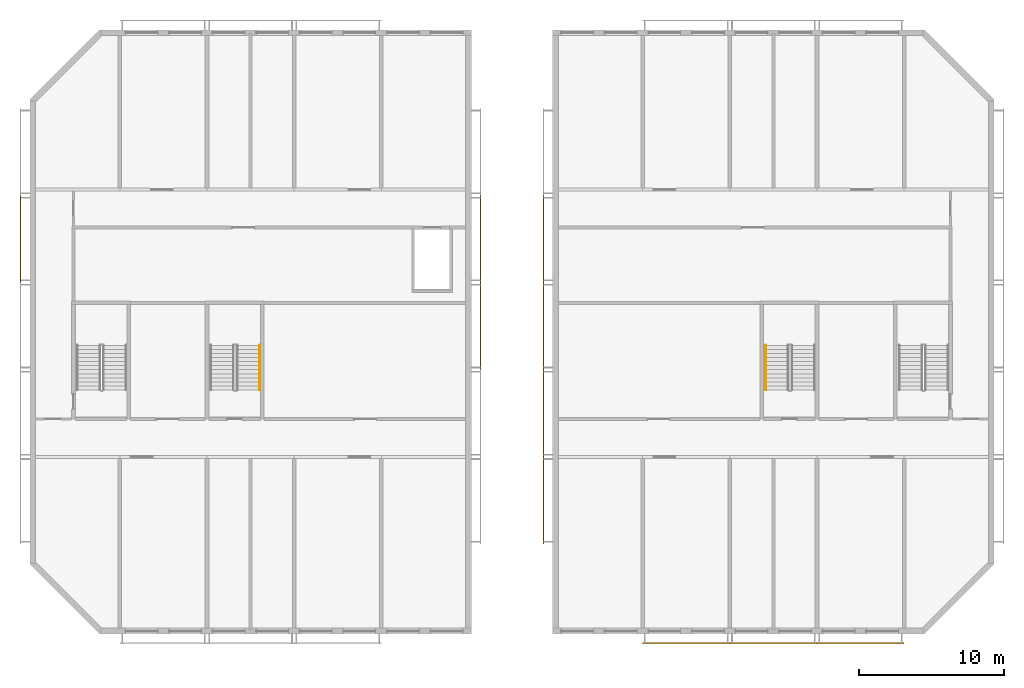
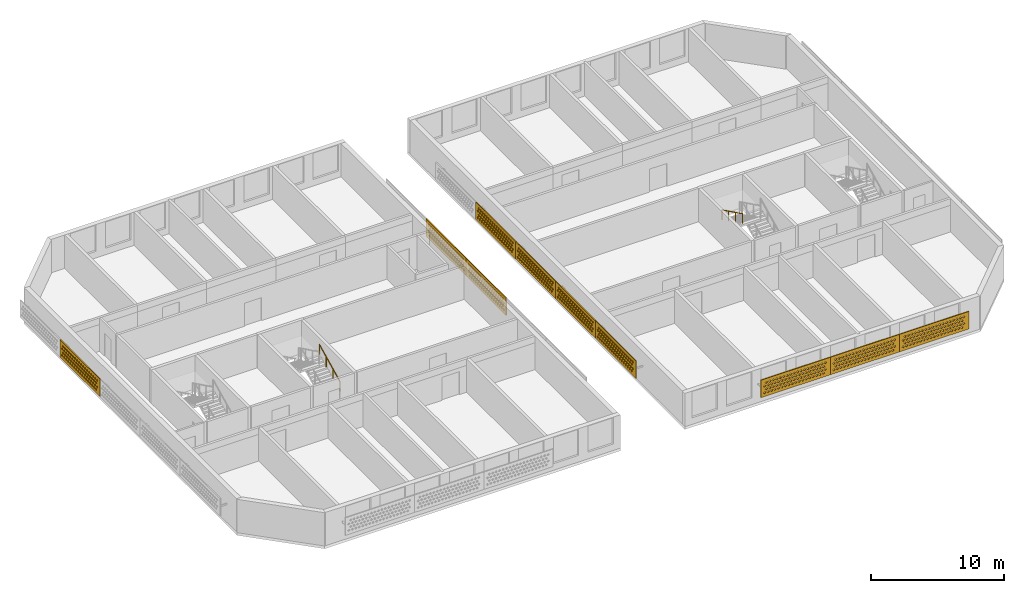
# One storey, part 10 of 18: 10 coverings, 2 railings.
"""IFC4 building model written with IfcOpenShell, lengths in metres."""

import ifcopenshell
import ifcopenshell.guid

model = None  # the IFC model being written
_history = None  # IfcOwnerHistory: only IFC2X3 demands one
_inside = {}  # id of a spatial element -> (the spatial element, [elements in it])
_under = {}  # id of a project, library or spatial element -> (it, [spatial elements below it])
_declared = {}  # id of a project -> (the project, [libraries it declares])
_typed = {}  # id of a type object -> (the type object, [elements of that type])
_made_of = {}  # id of a material, layer set ... -> (it, [elements and type objects made of it])


def new_model(schema):
    """Start an empty IFC model of exactly this schema.

    Asked for "IFC4X3", IfcOpenShell would pick the latest addendum, in which some entities
    have other attributes; the version numbers below select the first issue.
    IFC2X3 requires an IfcOwnerHistory on every rooted entity: one is made here for all.
    """
    global model, _history
    if schema == "IFC4X3":
        model = ifcopenshell.file(schema_version=(4, 3, 0, 0))
    else:
        model = ifcopenshell.file(schema=schema)
    _inside.clear()
    _under.clear()
    _declared.clear()
    _typed.clear()
    _made_of.clear()
    _history = None
    if model.schema == "IFC2X3":
        org = make("IfcOrganization", Name="unknown")
        user = make(
            "IfcPersonAndOrganization",
            ThePerson=make("IfcPerson", FamilyName="unknown"),
            TheOrganization=org,
        )
        app = make(
            "IfcApplication",
            ApplicationDeveloper=org,
            Version="unknown",
            ApplicationFullName="unknown",
            ApplicationIdentifier="unknown",
        )
        _history = make(
            "IfcOwnerHistory",
            OwningUser=user,
            OwningApplication=app,
            ChangeAction="ADDED",
            CreationDate=0,
        )
    return model


def make(cls, **values):
    """One entity of the class cls with the attributes given. An attribute that is None is left unset."""
    return model.create_entity(
        cls, **{name: value for name, value in values.items() if value is not None}
    )


def rooted(cls, **values):
    """An entity with a GlobalId (a new one), such as an element, a storey or a relation."""
    return make(cls, GlobalId=ifcopenshell.guid.new(), OwnerHistory=_history, **values)


def si_unit(unit_type, name, prefix=None):
    """IfcSIUnit, for example si_unit("LENGTHUNIT", "METRE", prefix="MILLI")."""
    return make("IfcSIUnit", UnitType=unit_type, Prefix=prefix, Name=name)


def assignment(units):
    """IfcUnitAssignment: the units of a project."""
    return None if units is None else make("IfcUnitAssignment", Units=units)


def point(xyz):
    """IfcCartesianPoint."""
    return None if xyz is None else make("IfcCartesianPoint", Coordinates=xyz)


def direction(xyz):
    """IfcDirection."""
    return None if xyz is None else make("IfcDirection", DirectionRatios=xyz)


def frame(location, z_axis=None, x_axis=None):
    """IfcAxis2Placement3D, a coordinate frame: its origin and axes. An axis left out is left unset."""
    return make(
        "IfcAxis2Placement3D",
        Location=point(location),
        Axis=direction(z_axis),
        RefDirection=direction(x_axis),
    )


def frame_2d(location, x_axis=None):
    """IfcAxis2Placement2D, a coordinate frame in the plane: its origin and x axis."""
    return make(
        "IfcAxis2Placement2D", Location=point(location), RefDirection=direction(x_axis)
    )


def origin():
    """The frame at (0, 0, 0) with its axes left unset."""
    return frame((0.0, 0.0, 0.0))


def origin_2d():
    """The frame at (0, 0) in the plane with its x axis left unset."""
    return frame_2d((0.0, 0.0))


def place(relative_to, where):
    """IfcLocalPlacement: puts the frame where relative to a parent placement (None: the world)."""
    return make(
        "IfcLocalPlacement", PlacementRelTo=relative_to, RelativePlacement=where
    )


def context(
    kind, dimensions, precision=None, world=None, true_north=None, identifier=None
):
    """IfcGeometricRepresentationContext, for example the 3D "Model" context."""
    return make(
        "IfcGeometricRepresentationContext",
        ContextIdentifier=identifier,
        ContextType=kind,
        CoordinateSpaceDimension=dimensions,
        Precision=precision,
        WorldCoordinateSystem=world,
        TrueNorth=true_north,
    )


def subcontext(parent, identifier, kind, view, scale=None):
    """IfcGeometricRepresentationSubContext, for example "Body" below "Model"."""
    return make(
        "IfcGeometricRepresentationSubContext",
        ContextIdentifier=identifier,
        ContextType=kind,
        ParentContext=parent,
        TargetScale=scale,
        TargetView=view,
    )


def project(units=None, contexts=None):
    """IfcProject with its units and contexts."""
    return rooted(
        "IfcProject",
        Name="project",
        RepresentationContexts=contexts,
        UnitsInContext=assignment(units),
    )


def spatial(cls, under=None, at=None, **own):
    """A site, building, storey or space (cls), placed at a placement, below another one or the project."""
    s = rooted(cls, ObjectPlacement=at, **own)
    if under is not None:
        _under.setdefault(under.id(), (under, []))[1].append(s)
    return s


def polyline(points):
    """IfcPolyline through the points."""
    return make("IfcPolyline", Points=[point(p) for p in points])


def profile(cls, at=None, kind="AREA", **sizes):
    """A parametric profile (cls). Its sizes go by their IFC names, for example OverallWidth=200.0."""
    return make(cls, ProfileType=kind, Position=at, **sizes)


def circle(**sizes):
    """IfcCircleProfileDef."""
    return profile("IfcCircleProfileDef", **sizes)


def outline(outer, holes=None, kind="AREA"):
    """IfcArbitraryClosedProfileDef: a profile drawn as a closed curve; with holes, ...WithVoids."""
    if holes is None:
        return make("IfcArbitraryClosedProfileDef", ProfileType=kind, OuterCurve=outer)
    return make(
        "IfcArbitraryProfileDefWithVoids",
        ProfileType=kind,
        OuterCurve=outer,
        InnerCurves=holes,
    )


def extrude(swept, where, along, depth):
    """IfcExtrudedAreaSolid: the profile swept, set in the frame where, extruded along a direction by depth."""
    return make(
        "IfcExtrudedAreaSolid",
        SweptArea=swept,
        Position=where,
        ExtrudedDirection=direction(along),
        Depth=depth,
    )


def shape(context_of_items, identifier, shape_type, items):
    """IfcShapeRepresentation: the items that make up one representation, for example the "Body"."""
    return make(
        "IfcShapeRepresentation",
        ContextOfItems=context_of_items,
        RepresentationIdentifier=identifier,
        RepresentationType=shape_type,
        Items=items,
    )


def source(mapping_origin, context_of_items, identifier, shape_type, items):
    """IfcRepresentationMap: a shape defined once, which mapped items show again and again."""
    return make(
        "IfcRepresentationMap",
        MappingOrigin=mapping_origin,
        MappedRepresentation=shape(context_of_items, identifier, shape_type, items),
    )


def transform(
    local_origin,
    x_axis=None,
    y_axis=None,
    z_axis=None,
    scale=None,
    scale2=None,
    scale3=None,
    uniform=True,
):
    """IfcCartesianTransformationOperator3D, or its non-uniform kind. x_axis, y_axis, z_axis: its Axis1, 2, 3."""
    if uniform:
        return make(
            "IfcCartesianTransformationOperator3D",
            Axis1=direction(x_axis),
            Axis2=direction(y_axis),
            LocalOrigin=point(local_origin),
            Scale=scale,
            Axis3=direction(z_axis),
        )
    return make(
        "IfcCartesianTransformationOperator3DnonUniform",
        Axis1=direction(x_axis),
        Axis2=direction(y_axis),
        LocalOrigin=point(local_origin),
        Scale=scale,
        Axis3=direction(z_axis),
        Scale2=scale2,
        Scale3=scale3,
    )


def mapped(mapping_source, mapping_target):
    """IfcMappedItem: shows the shape of a source again, moved by a transform."""
    return make(
        "IfcMappedItem", MappingSource=mapping_source, MappingTarget=mapping_target
    )


def material(Name=None, Category=None):
    """IfcMaterial."""
    return make("IfcMaterial", Name=Name, Category=Category)


def material_profile(
    of_material, cross_section, Name=None, Category=None, Priority=None
):
    """IfcMaterialProfile: a cross section and its material."""
    return make(
        "IfcMaterialProfile",
        Name=Name,
        Material=of_material,
        Profile=cross_section,
        Priority=Priority,
        Category=Category,
    )


def profile_set(profiles, Name=None, composite=None):
    """IfcMaterialProfileSet."""
    return make(
        "IfcMaterialProfileSet",
        Name=Name,
        MaterialProfiles=profiles,
        CompositeProfile=composite,
    )


def made_of(thing, what):
    """Note that an element or type object is made of a material, layer set ...; save() writes the relation."""
    if what is not None:
        _made_of.setdefault(what.id(), (what, []))[1].append(thing)
    return thing


def type_object(cls, material=None, **own):
    """A type object (cls), such as IfcWallType, which elements share."""
    return made_of(rooted(cls, **own), material)


def element(
    cls,
    number,
    at=None,
    inside=None,
    cuts=None,
    type_object=None,
    material=None,
    context=None,
    identifier="Body",
    shape_type=None,
    held_by="IfcProductDefinitionShape",
    body=None,
    shapes=None,
    **own,
):
    """One element of the class cls, such as IfcWall. Its Tag is "e" and its number.

    at: its placement. inside: the storey or other place that contains it. cuts: it is an
    opening in that element (IfcRelVoidsElement). A single representation is given by context,
    identifier, shape_type and body (its items); several are given by shapes. held_by: the class
    of the entity that holds the representations. save() writes the other relations.
    """
    e = rooted(cls, Tag="e%d" % number, ObjectPlacement=at, **own)
    if body is not None:
        shapes = [shape(context, identifier, shape_type, body)]
    if shapes is not None:
        e.Representation = make(held_by, Representations=shapes)
    if inside is not None:
        _inside.setdefault(inside.id(), (inside, []))[1].append(e)
    if cuts is not None:
        rooted(
            "IfcRelVoidsElement", RelatingBuildingElement=cuts, RelatedOpeningElement=e
        )
    if type_object is not None:
        _typed.setdefault(type_object.id(), (type_object, []))[1].append(e)
    return made_of(e, material)


def aggregate(whole, parts):
    """IfcRelAggregates: a whole, such as a stair, and the parts it consists of."""
    return rooted("IfcRelAggregates", RelatingObject=whole, RelatedObjects=parts)


def save(model, path):
    """Write the relations noted so far, then the file.

    IfcRelAggregates (storeys below a building ...), IfcRelContainedInSpatialStructure (elements
    in a storey), IfcRelDefinesByType, IfcRelAssociatesMaterial and IfcRelDeclares: one each for
    every whole, place, type object, material and project.
    """
    for whole, parts in _under.values():
        aggregate(whole, parts)
    for where, things in _inside.values():
        rooted(
            "IfcRelContainedInSpatialStructure",
            RelatedElements=things,
            RelatingStructure=where,
        )
    for kind, things in _typed.values():
        rooted("IfcRelDefinesByType", RelatedObjects=things, RelatingType=kind)
    for what, things in _made_of.values():
        rooted("IfcRelAssociatesMaterial", RelatedObjects=things, RelatingMaterial=what)
    for by, libraries in _declared.values():
        rooted("IfcRelDeclares", RelatingContext=by, RelatedDefinitions=libraries)
    model.write(path)


model = new_model("IFC4")

# Units and contexts
model_context = context("Model", 3, precision=1e-05, world=origin(), true_north=direction((0.0, 1.0)))
body_context = subcontext(model_context, "Body", "Model", "MODEL_VIEW")
ifc_project = project(units=[si_unit("LENGTHUNIT", "METRE"), si_unit("AREAUNIT", "SQUARE_METRE"), si_unit("VOLUMEUNIT", "CUBIC_METRE"), si_unit("PLANEANGLEUNIT", "RADIAN"), si_unit("MASSUNIT", "GRAM", prefix="KILO")], contexts=[model_context])

# Site, building, storey
site_placement = place(None, origin())
site = spatial("IfcSite", under=ifc_project, at=site_placement, CompositionType="ELEMENT")
building_placement = place(site_placement, origin())
building = spatial("IfcBuilding", under=site, at=building_placement, Name="Poui Terraces", CompositionType="ELEMENT")
storey_placement = place(building_placement, frame((0.0, 0.0, 275.699951171875)))
storey = spatial("IfcBuildingStorey", under=building, at=storey_placement, Name="L76 CROWN", CompositionType="ELEMENT", Elevation=275.699951171875)

# Railings
ifc_material_1 = material(Name="Stainless steel handrail", Category="steel")
railing_type = type_object("IfcRailingType", Name="STAIR HANDRAIL 900", PredefinedType="HANDRAIL", material=ifc_material_1)
railing_1_placement = place(storey_placement, frame((68.47509765625, 19.679931640625, 1.78759765625)))
element("IfcRailing", 1, at=railing_1_placement, inside=storey, type_object=railing_type, Name="L76 CROWN ST-CE stair handrail 2", PredefinedType="HANDRAIL", context=body_context, shape_type="SweptSolid", body=[
    extrude(circle(Radius=0.02392578125, at=origin_2d()), frame((0.0, 0.0, 0.8759765625), z_axis=(0.0, -0.897606190399, 0.440798283751), x_axis=(1.0, 0.0, 0.0)), (0.0, 0.0, 1.0), 3.43115234375),
    extrude(circle(Radius=0.02099609375, at=origin_2d()), origin(), (0.0, 0.0, 1.0), 0.851806640625),
    extrude(circle(Radius=0.02099609375, at=origin_2d()), frame((0.0, -1.026611328125, 0.504150390625)), (0.0, 0.0, 1.0), 0.851806640625),
    extrude(circle(Radius=0.02099609375, at=origin_2d()), frame((0.0, -2.05322265625, 1.00830078125)), (0.0, 0.0, 1.0), 0.851806640625),
    extrude(circle(Radius=0.02099609375, at=origin_2d()), frame((0.0, -3.079833984375, 1.512451171875)), (0.0, 0.0, 1.0), 0.851806640625),
])
railing_2_placement = place(storey_placement, frame((33.625, 16.60009765625, 0.137451171875)))
element("IfcRailing", 2, at=railing_2_placement, inside=storey, type_object=railing_type, Name="L76 CROWN ST-CW stair handrail 1", PredefinedType="HANDRAIL", context=body_context, shape_type="SweptSolid", body=[
    extrude(circle(Radius=0.02392578125, at=origin_2d()), frame((0.0, 0.0, 0.8759765625), z_axis=(0.0, 0.897578036475, 0.440855609512), x_axis=(-1.0, 0.0, 0.0)), (0.0, 0.0, 1.0), 3.43115234375),
    extrude(circle(Radius=0.02099609375, at=origin_2d()), origin(), (0.0, 0.0, 1.0), 0.851806640625),
    extrude(circle(Radius=0.02099609375, at=origin_2d()), frame((0.0, 1.026611328125, 0.504150390625)), (0.0, 0.0, 1.0), 0.851806640625),
    extrude(circle(Radius=0.02099609375, at=origin_2d()), frame((0.0, 2.05322265625, 1.008544921875)), (0.0, 0.0, 1.0), 0.851806640625),
    extrude(circle(Radius=0.02099609375, at=origin_2d()), frame((0.0, 3.079833984375, 1.5126953125)), (0.0, 0.0, 1.0), 0.851806640625),
])

# Coverings
ifc_material_2 = material(Name="Terracotta screen", Category="masonry")
ifc_material_profile = material_profile(ifc_material_2, outline(polyline([(-3.0, -0.800048828125), (3.0, -0.800048828125), (3.0, 0.800048828125), (-3.0, 0.800048828125), (-3.0, -0.800048828125)]), holes=[polyline([(-2.800048828125, -0.449951171875), (-2.68994140625, -0.56005859375), (-2.580078125, -0.449951171875), (-2.68994140625, -0.340087890625), (-2.800048828125, -0.449951171875)]), polyline([(-2.5, -0.449951171875), (-2.389892578125, -0.56005859375), (-2.280029296875, -0.449951171875), (-2.389892578125, -0.340087890625), (-2.5, -0.449951171875)]), polyline([(-2.199951171875, -0.449951171875), (-2.090087890625, -0.56005859375), (-1.97998046875, -0.449951171875), (-2.090087890625, -0.340087890625), (-2.199951171875, -0.449951171875)]), polyline([(-1.89990234375, -0.449951171875), (-1.7900390625, -0.56005859375), (-1.679931640625, -0.449951171875), (-1.7900390625, -0.340087890625), (-1.89990234375, -0.449951171875)]), polyline([(-1.60009765625, -0.449951171875), (-1.489990234375, -0.56005859375), (-1.3798828125, -0.449951171875), (-1.489990234375, -0.340087890625), (-1.60009765625, -0.449951171875)]), polyline([(-1.300048828125, -0.449951171875), (-1.18994140625, -0.56005859375), (-1.080078125, -0.449951171875), (-1.18994140625, -0.340087890625), (-1.300048828125, -0.449951171875)]), polyline([(-1.0, -0.449951171875), (-0.889892578125, -0.56005859375), (-0.780029296875, -0.449951171875), (-0.889892578125, -0.340087890625), (-1.0, -0.449951171875)]), polyline([(-0.699951171875, -0.449951171875), (-0.590087890625, -0.56005859375), (-0.47998046875, -0.449951171875), (-0.590087890625, -0.340087890625), (-0.699951171875, -0.449951171875)]), polyline([(-0.39990234375, -0.449951171875), (-0.2900390625, -0.56005859375), (-0.179931640625, -0.449951171875), (-0.2900390625, -0.340087890625), (-0.39990234375, -0.449951171875)]), polyline([(-0.10009765625, -0.449951171875), (0.010009765625, -0.56005859375), (0.1201171875, -0.449951171875), (0.010009765625, -0.340087890625), (-0.10009765625, -0.449951171875)]), polyline([(0.199951171875, -0.449951171875), (0.31005859375, -0.56005859375), (0.419921875, -0.449951171875), (0.31005859375, -0.340087890625), (0.199951171875, -0.449951171875)]), polyline([(0.5, -0.449951171875), (0.610107421875, -0.56005859375), (0.719970703125, -0.449951171875), (0.610107421875, -0.340087890625), (0.5, -0.449951171875)]), polyline([(0.800048828125, -0.449951171875), (0.909912109375, -0.56005859375), (1.02001953125, -0.449951171875), (0.909912109375, -0.340087890625), (0.800048828125, -0.449951171875)]), polyline([(1.10009765625, -0.449951171875), (1.2099609375, -0.56005859375), (1.320068359375, -0.449951171875), (1.2099609375, -0.340087890625), (1.10009765625, -0.449951171875)]), polyline([(1.39990234375, -0.449951171875), (1.510009765625, -0.56005859375), (1.6201171875, -0.449951171875), (1.510009765625, -0.340087890625), (1.39990234375, -0.449951171875)]), polyline([(1.699951171875, -0.449951171875), (1.81005859375, -0.56005859375), (1.919921875, -0.449951171875), (1.81005859375, -0.340087890625), (1.699951171875, -0.449951171875)]), polyline([(2.0, -0.449951171875), (2.110107421875, -0.56005859375), (2.219970703125, -0.449951171875), (2.110107421875, -0.340087890625), (2.0, -0.449951171875)]), polyline([(2.300048828125, -0.449951171875), (2.409912109375, -0.56005859375), (2.52001953125, -0.449951171875), (2.409912109375, -0.340087890625), (2.300048828125, -0.449951171875)]), polyline([(-2.64990234375, -0.14990234375), (-2.5400390625, -0.260009765625), (-2.429931640625, -0.14990234375), (-2.5400390625, -0.0400390625), (-2.64990234375, -0.14990234375)]), polyline([(-2.35009765625, -0.14990234375), (-2.239990234375, -0.260009765625), (-2.1298828125, -0.14990234375), (-2.239990234375, -0.0400390625), (-2.35009765625, -0.14990234375)]), polyline([(-2.050048828125, -0.14990234375), (-1.93994140625, -0.260009765625), (-1.830078125, -0.14990234375), (-1.93994140625, -0.0400390625), (-2.050048828125, -0.14990234375)]), polyline([(-1.75, -0.14990234375), (-1.639892578125, -0.260009765625), (-1.530029296875, -0.14990234375), (-1.639892578125, -0.0400390625), (-1.75, -0.14990234375)]), polyline([(-1.449951171875, -0.14990234375), (-1.340087890625, -0.260009765625), (-1.22998046875, -0.14990234375), (-1.340087890625, -0.0400390625), (-1.449951171875, -0.14990234375)]), polyline([(-1.14990234375, -0.14990234375), (-1.0400390625, -0.260009765625), (-0.929931640625, -0.14990234375), (-1.0400390625, -0.0400390625), (-1.14990234375, -0.14990234375)]), polyline([(-0.85009765625, -0.14990234375), (-0.739990234375, -0.260009765625), (-0.6298828125, -0.14990234375), (-0.739990234375, -0.0400390625), (-0.85009765625, -0.14990234375)]), polyline([(-0.550048828125, -0.14990234375), (-0.43994140625, -0.260009765625), (-0.330078125, -0.14990234375), (-0.43994140625, -0.0400390625), (-0.550048828125, -0.14990234375)]), polyline([(-0.25, -0.14990234375), (-0.139892578125, -0.260009765625), (-0.030029296875, -0.14990234375), (-0.139892578125, -0.0400390625), (-0.25, -0.14990234375)]), polyline([(0.050048828125, -0.14990234375), (0.159912109375, -0.260009765625), (0.27001953125, -0.14990234375), (0.159912109375, -0.0400390625), (0.050048828125, -0.14990234375)]), polyline([(0.35009765625, -0.14990234375), (0.4599609375, -0.260009765625), (0.570068359375, -0.14990234375), (0.4599609375, -0.0400390625), (0.35009765625, -0.14990234375)]), polyline([(0.64990234375, -0.14990234375), (0.760009765625, -0.260009765625), (0.8701171875, -0.14990234375), (0.760009765625, -0.0400390625), (0.64990234375, -0.14990234375)]), polyline([(0.949951171875, -0.14990234375), (1.06005859375, -0.260009765625), (1.169921875, -0.14990234375), (1.06005859375, -0.0400390625), (0.949951171875, -0.14990234375)]), polyline([(1.25, -0.14990234375), (1.360107421875, -0.260009765625), (1.469970703125, -0.14990234375), (1.360107421875, -0.0400390625), (1.25, -0.14990234375)]), polyline([(1.550048828125, -0.14990234375), (1.659912109375, -0.260009765625), (1.77001953125, -0.14990234375), (1.659912109375, -0.0400390625), (1.550048828125, -0.14990234375)]), polyline([(1.85009765625, -0.14990234375), (1.9599609375, -0.260009765625), (2.070068359375, -0.14990234375), (1.9599609375, -0.0400390625), (1.85009765625, -0.14990234375)]), polyline([(2.14990234375, -0.14990234375), (2.260009765625, -0.260009765625), (2.3701171875, -0.14990234375), (2.260009765625, -0.0400390625), (2.14990234375, -0.14990234375)]), polyline([(2.449951171875, -0.14990234375), (2.56005859375, -0.260009765625), (2.669921875, -0.14990234375), (2.56005859375, -0.0400390625), (2.449951171875, -0.14990234375)]), polyline([(-2.800048828125, 0.14990234375), (-2.68994140625, 0.0400390625), (-2.580078125, 0.14990234375), (-2.68994140625, 0.260009765625), (-2.800048828125, 0.14990234375)]), polyline([(-2.5, 0.14990234375), (-2.389892578125, 0.0400390625), (-2.280029296875, 0.14990234375), (-2.389892578125, 0.260009765625), (-2.5, 0.14990234375)]), polyline([(-2.199951171875, 0.14990234375), (-2.090087890625, 0.0400390625), (-1.97998046875, 0.14990234375), (-2.090087890625, 0.260009765625), (-2.199951171875, 0.14990234375)]), polyline([(-1.89990234375, 0.14990234375), (-1.7900390625, 0.0400390625), (-1.679931640625, 0.14990234375), (-1.7900390625, 0.260009765625), (-1.89990234375, 0.14990234375)]), polyline([(-1.60009765625, 0.14990234375), (-1.489990234375, 0.0400390625), (-1.3798828125, 0.14990234375), (-1.489990234375, 0.260009765625), (-1.60009765625, 0.14990234375)]), polyline([(-1.300048828125, 0.14990234375), (-1.18994140625, 0.0400390625), (-1.080078125, 0.14990234375), (-1.18994140625, 0.260009765625), (-1.300048828125, 0.14990234375)]), polyline([(-1.0, 0.14990234375), (-0.889892578125, 0.0400390625), (-0.780029296875, 0.14990234375), (-0.889892578125, 0.260009765625), (-1.0, 0.14990234375)]), polyline([(-0.699951171875, 0.14990234375), (-0.590087890625, 0.0400390625), (-0.47998046875, 0.14990234375), (-0.590087890625, 0.260009765625), (-0.699951171875, 0.14990234375)]), polyline([(-0.39990234375, 0.14990234375), (-0.2900390625, 0.0400390625), (-0.179931640625, 0.14990234375), (-0.2900390625, 0.260009765625), (-0.39990234375, 0.14990234375)]), polyline([(-0.10009765625, 0.14990234375), (0.010009765625, 0.0400390625), (0.1201171875, 0.14990234375), (0.010009765625, 0.260009765625), (-0.10009765625, 0.14990234375)]), polyline([(0.199951171875, 0.14990234375), (0.31005859375, 0.0400390625), (0.419921875, 0.14990234375), (0.31005859375, 0.260009765625), (0.199951171875, 0.14990234375)]), polyline([(0.5, 0.14990234375), (0.610107421875, 0.0400390625), (0.719970703125, 0.14990234375), (0.610107421875, 0.260009765625), (0.5, 0.14990234375)]), polyline([(0.800048828125, 0.14990234375), (0.909912109375, 0.0400390625), (1.02001953125, 0.14990234375), (0.909912109375, 0.260009765625), (0.800048828125, 0.14990234375)]), polyline([(1.10009765625, 0.14990234375), (1.2099609375, 0.0400390625), (1.320068359375, 0.14990234375), (1.2099609375, 0.260009765625), (1.10009765625, 0.14990234375)]), polyline([(1.39990234375, 0.14990234375), (1.510009765625, 0.0400390625), (1.6201171875, 0.14990234375), (1.510009765625, 0.260009765625), (1.39990234375, 0.14990234375)]), polyline([(1.699951171875, 0.14990234375), (1.81005859375, 0.0400390625), (1.919921875, 0.14990234375), (1.81005859375, 0.260009765625), (1.699951171875, 0.14990234375)]), polyline([(2.0, 0.14990234375), (2.110107421875, 0.0400390625), (2.219970703125, 0.14990234375), (2.110107421875, 0.260009765625), (2.0, 0.14990234375)]), polyline([(2.300048828125, 0.14990234375), (2.409912109375, 0.0400390625), (2.52001953125, 0.14990234375), (2.409912109375, 0.260009765625), (2.300048828125, 0.14990234375)]), polyline([(-2.64990234375, 0.449951171875), (-2.5400390625, 0.340087890625), (-2.429931640625, 0.449951171875), (-2.5400390625, 0.56005859375), (-2.64990234375, 0.449951171875)]), polyline([(-2.35009765625, 0.449951171875), (-2.239990234375, 0.340087890625), (-2.1298828125, 0.449951171875), (-2.239990234375, 0.56005859375), (-2.35009765625, 0.449951171875)]), polyline([(-2.050048828125, 0.449951171875), (-1.93994140625, 0.340087890625), (-1.830078125, 0.449951171875), (-1.93994140625, 0.56005859375), (-2.050048828125, 0.449951171875)]), polyline([(-1.75, 0.449951171875), (-1.639892578125, 0.340087890625), (-1.530029296875, 0.449951171875), (-1.639892578125, 0.56005859375), (-1.75, 0.449951171875)]), polyline([(-1.449951171875, 0.449951171875), (-1.340087890625, 0.340087890625), (-1.22998046875, 0.449951171875), (-1.340087890625, 0.56005859375), (-1.449951171875, 0.449951171875)]), polyline([(-1.14990234375, 0.449951171875), (-1.0400390625, 0.340087890625), (-0.929931640625, 0.449951171875), (-1.0400390625, 0.56005859375), (-1.14990234375, 0.449951171875)]), polyline([(-0.85009765625, 0.449951171875), (-0.739990234375, 0.340087890625), (-0.6298828125, 0.449951171875), (-0.739990234375, 0.56005859375), (-0.85009765625, 0.449951171875)]), polyline([(-0.550048828125, 0.449951171875), (-0.43994140625, 0.340087890625), (-0.330078125, 0.449951171875), (-0.43994140625, 0.56005859375), (-0.550048828125, 0.449951171875)]), polyline([(-0.25, 0.449951171875), (-0.139892578125, 0.340087890625), (-0.030029296875, 0.449951171875), (-0.139892578125, 0.56005859375), (-0.25, 0.449951171875)]), polyline([(0.050048828125, 0.449951171875), (0.159912109375, 0.340087890625), (0.27001953125, 0.449951171875), (0.159912109375, 0.56005859375), (0.050048828125, 0.449951171875)]), polyline([(0.35009765625, 0.449951171875), (0.4599609375, 0.340087890625), (0.570068359375, 0.449951171875), (0.4599609375, 0.56005859375), (0.35009765625, 0.449951171875)]), polyline([(0.64990234375, 0.449951171875), (0.760009765625, 0.340087890625), (0.8701171875, 0.449951171875), (0.760009765625, 0.56005859375), (0.64990234375, 0.449951171875)]), polyline([(0.949951171875, 0.449951171875), (1.06005859375, 0.340087890625), (1.169921875, 0.449951171875), (1.06005859375, 0.56005859375), (0.949951171875, 0.449951171875)]), polyline([(1.25, 0.449951171875), (1.360107421875, 0.340087890625), (1.469970703125, 0.449951171875), (1.360107421875, 0.56005859375), (1.25, 0.449951171875)]), polyline([(1.550048828125, 0.449951171875), (1.659912109375, 0.340087890625), (1.77001953125, 0.449951171875), (1.659912109375, 0.56005859375), (1.550048828125, 0.449951171875)]), polyline([(1.85009765625, 0.449951171875), (1.9599609375, 0.340087890625), (2.070068359375, 0.449951171875), (1.9599609375, 0.56005859375), (1.85009765625, 0.449951171875)]), polyline([(2.14990234375, 0.449951171875), (2.260009765625, 0.340087890625), (2.3701171875, 0.449951171875), (2.260009765625, 0.56005859375), (2.14990234375, 0.449951171875)]), polyline([(2.449951171875, 0.449951171875), (2.56005859375, 0.340087890625), (2.669921875, 0.449951171875), (2.56005859375, 0.56005859375), (2.449951171875, 0.449951171875)])]), Name="TERRACOTTA SOLAR SCREEN 6000X1600")
ifc_profile_set = profile_set([ifc_material_profile], Name="Terracotta screen")
covering_type = type_object("IfcCoveringType", Name="TERRACOTTA SOLAR SCREEN 6000X1600", PredefinedType="CLADDING", material=ifc_profile_set)
shared_shape = source(origin(), body_context, "Body", "SweptSolid", [
    extrude(outline(polyline([(-3.0, -0.800048828125), (3.0, -0.800048828125), (3.0, 0.800048828125), (-3.0, 0.800048828125), (-3.0, -0.800048828125)]), holes=[polyline([(-2.800048828125, -0.449951171875), (-2.68994140625, -0.56005859375), (-2.580078125, -0.449951171875), (-2.68994140625, -0.340087890625), (-2.800048828125, -0.449951171875)]), polyline([(-2.5, -0.449951171875), (-2.389892578125, -0.56005859375), (-2.280029296875, -0.449951171875), (-2.389892578125, -0.340087890625), (-2.5, -0.449951171875)]), polyline([(-2.199951171875, -0.449951171875), (-2.090087890625, -0.56005859375), (-1.97998046875, -0.449951171875), (-2.090087890625, -0.340087890625), (-2.199951171875, -0.449951171875)]), polyline([(-1.89990234375, -0.449951171875), (-1.7900390625, -0.56005859375), (-1.679931640625, -0.449951171875), (-1.7900390625, -0.340087890625), (-1.89990234375, -0.449951171875)]), polyline([(-1.60009765625, -0.449951171875), (-1.489990234375, -0.56005859375), (-1.3798828125, -0.449951171875), (-1.489990234375, -0.340087890625), (-1.60009765625, -0.449951171875)]), polyline([(-1.300048828125, -0.449951171875), (-1.18994140625, -0.56005859375), (-1.080078125, -0.449951171875), (-1.18994140625, -0.340087890625), (-1.300048828125, -0.449951171875)]), polyline([(-1.0, -0.449951171875), (-0.889892578125, -0.56005859375), (-0.780029296875, -0.449951171875), (-0.889892578125, -0.340087890625), (-1.0, -0.449951171875)]), polyline([(-0.699951171875, -0.449951171875), (-0.590087890625, -0.56005859375), (-0.47998046875, -0.449951171875), (-0.590087890625, -0.340087890625), (-0.699951171875, -0.449951171875)]), polyline([(-0.39990234375, -0.449951171875), (-0.2900390625, -0.56005859375), (-0.179931640625, -0.449951171875), (-0.2900390625, -0.340087890625), (-0.39990234375, -0.449951171875)]), polyline([(-0.10009765625, -0.449951171875), (0.010009765625, -0.56005859375), (0.1201171875, -0.449951171875), (0.010009765625, -0.340087890625), (-0.10009765625, -0.449951171875)]), polyline([(0.199951171875, -0.449951171875), (0.31005859375, -0.56005859375), (0.419921875, -0.449951171875), (0.31005859375, -0.340087890625), (0.199951171875, -0.449951171875)]), polyline([(0.5, -0.449951171875), (0.610107421875, -0.56005859375), (0.719970703125, -0.449951171875), (0.610107421875, -0.340087890625), (0.5, -0.449951171875)]), polyline([(0.800048828125, -0.449951171875), (0.909912109375, -0.56005859375), (1.02001953125, -0.449951171875), (0.909912109375, -0.340087890625), (0.800048828125, -0.449951171875)]), polyline([(1.10009765625, -0.449951171875), (1.2099609375, -0.56005859375), (1.320068359375, -0.449951171875), (1.2099609375, -0.340087890625), (1.10009765625, -0.449951171875)]), polyline([(1.39990234375, -0.449951171875), (1.510009765625, -0.56005859375), (1.6201171875, -0.449951171875), (1.510009765625, -0.340087890625), (1.39990234375, -0.449951171875)]), polyline([(1.699951171875, -0.449951171875), (1.81005859375, -0.56005859375), (1.919921875, -0.449951171875), (1.81005859375, -0.340087890625), (1.699951171875, -0.449951171875)]), polyline([(2.0, -0.449951171875), (2.110107421875, -0.56005859375), (2.219970703125, -0.449951171875), (2.110107421875, -0.340087890625), (2.0, -0.449951171875)]), polyline([(2.300048828125, -0.449951171875), (2.409912109375, -0.56005859375), (2.52001953125, -0.449951171875), (2.409912109375, -0.340087890625), (2.300048828125, -0.449951171875)]), polyline([(-2.64990234375, -0.14990234375), (-2.5400390625, -0.260009765625), (-2.429931640625, -0.14990234375), (-2.5400390625, -0.0400390625), (-2.64990234375, -0.14990234375)]), polyline([(-2.35009765625, -0.14990234375), (-2.239990234375, -0.260009765625), (-2.1298828125, -0.14990234375), (-2.239990234375, -0.0400390625), (-2.35009765625, -0.14990234375)]), polyline([(-2.050048828125, -0.14990234375), (-1.93994140625, -0.260009765625), (-1.830078125, -0.14990234375), (-1.93994140625, -0.0400390625), (-2.050048828125, -0.14990234375)]), polyline([(-1.75, -0.14990234375), (-1.639892578125, -0.260009765625), (-1.530029296875, -0.14990234375), (-1.639892578125, -0.0400390625), (-1.75, -0.14990234375)]), polyline([(-1.449951171875, -0.14990234375), (-1.340087890625, -0.260009765625), (-1.22998046875, -0.14990234375), (-1.340087890625, -0.0400390625), (-1.449951171875, -0.14990234375)]), polyline([(-1.14990234375, -0.14990234375), (-1.0400390625, -0.260009765625), (-0.929931640625, -0.14990234375), (-1.0400390625, -0.0400390625), (-1.14990234375, -0.14990234375)]), polyline([(-0.85009765625, -0.14990234375), (-0.739990234375, -0.260009765625), (-0.6298828125, -0.14990234375), (-0.739990234375, -0.0400390625), (-0.85009765625, -0.14990234375)]), polyline([(-0.550048828125, -0.14990234375), (-0.43994140625, -0.260009765625), (-0.330078125, -0.14990234375), (-0.43994140625, -0.0400390625), (-0.550048828125, -0.14990234375)]), polyline([(-0.25, -0.14990234375), (-0.139892578125, -0.260009765625), (-0.030029296875, -0.14990234375), (-0.139892578125, -0.0400390625), (-0.25, -0.14990234375)]), polyline([(0.050048828125, -0.14990234375), (0.159912109375, -0.260009765625), (0.27001953125, -0.14990234375), (0.159912109375, -0.0400390625), (0.050048828125, -0.14990234375)]), polyline([(0.35009765625, -0.14990234375), (0.4599609375, -0.260009765625), (0.570068359375, -0.14990234375), (0.4599609375, -0.0400390625), (0.35009765625, -0.14990234375)]), polyline([(0.64990234375, -0.14990234375), (0.760009765625, -0.260009765625), (0.8701171875, -0.14990234375), (0.760009765625, -0.0400390625), (0.64990234375, -0.14990234375)]), polyline([(0.949951171875, -0.14990234375), (1.06005859375, -0.260009765625), (1.169921875, -0.14990234375), (1.06005859375, -0.0400390625), (0.949951171875, -0.14990234375)]), polyline([(1.25, -0.14990234375), (1.360107421875, -0.260009765625), (1.469970703125, -0.14990234375), (1.360107421875, -0.0400390625), (1.25, -0.14990234375)]), polyline([(1.550048828125, -0.14990234375), (1.659912109375, -0.260009765625), (1.77001953125, -0.14990234375), (1.659912109375, -0.0400390625), (1.550048828125, -0.14990234375)]), polyline([(1.85009765625, -0.14990234375), (1.9599609375, -0.260009765625), (2.070068359375, -0.14990234375), (1.9599609375, -0.0400390625), (1.85009765625, -0.14990234375)]), polyline([(2.14990234375, -0.14990234375), (2.260009765625, -0.260009765625), (2.3701171875, -0.14990234375), (2.260009765625, -0.0400390625), (2.14990234375, -0.14990234375)]), polyline([(2.449951171875, -0.14990234375), (2.56005859375, -0.260009765625), (2.669921875, -0.14990234375), (2.56005859375, -0.0400390625), (2.449951171875, -0.14990234375)]), polyline([(-2.800048828125, 0.14990234375), (-2.68994140625, 0.0400390625), (-2.580078125, 0.14990234375), (-2.68994140625, 0.260009765625), (-2.800048828125, 0.14990234375)]), polyline([(-2.5, 0.14990234375), (-2.389892578125, 0.0400390625), (-2.280029296875, 0.14990234375), (-2.389892578125, 0.260009765625), (-2.5, 0.14990234375)]), polyline([(-2.199951171875, 0.14990234375), (-2.090087890625, 0.0400390625), (-1.97998046875, 0.14990234375), (-2.090087890625, 0.260009765625), (-2.199951171875, 0.14990234375)]), polyline([(-1.89990234375, 0.14990234375), (-1.7900390625, 0.0400390625), (-1.679931640625, 0.14990234375), (-1.7900390625, 0.260009765625), (-1.89990234375, 0.14990234375)]), polyline([(-1.60009765625, 0.14990234375), (-1.489990234375, 0.0400390625), (-1.3798828125, 0.14990234375), (-1.489990234375, 0.260009765625), (-1.60009765625, 0.14990234375)]), polyline([(-1.300048828125, 0.14990234375), (-1.18994140625, 0.0400390625), (-1.080078125, 0.14990234375), (-1.18994140625, 0.260009765625), (-1.300048828125, 0.14990234375)]), polyline([(-1.0, 0.14990234375), (-0.889892578125, 0.0400390625), (-0.780029296875, 0.14990234375), (-0.889892578125, 0.260009765625), (-1.0, 0.14990234375)]), polyline([(-0.699951171875, 0.14990234375), (-0.590087890625, 0.0400390625), (-0.47998046875, 0.14990234375), (-0.590087890625, 0.260009765625), (-0.699951171875, 0.14990234375)]), polyline([(-0.39990234375, 0.14990234375), (-0.2900390625, 0.0400390625), (-0.179931640625, 0.14990234375), (-0.2900390625, 0.260009765625), (-0.39990234375, 0.14990234375)]), polyline([(-0.10009765625, 0.14990234375), (0.010009765625, 0.0400390625), (0.1201171875, 0.14990234375), (0.010009765625, 0.260009765625), (-0.10009765625, 0.14990234375)]), polyline([(0.199951171875, 0.14990234375), (0.31005859375, 0.0400390625), (0.419921875, 0.14990234375), (0.31005859375, 0.260009765625), (0.199951171875, 0.14990234375)]), polyline([(0.5, 0.14990234375), (0.610107421875, 0.0400390625), (0.719970703125, 0.14990234375), (0.610107421875, 0.260009765625), (0.5, 0.14990234375)]), polyline([(0.800048828125, 0.14990234375), (0.909912109375, 0.0400390625), (1.02001953125, 0.14990234375), (0.909912109375, 0.260009765625), (0.800048828125, 0.14990234375)]), polyline([(1.10009765625, 0.14990234375), (1.2099609375, 0.0400390625), (1.320068359375, 0.14990234375), (1.2099609375, 0.260009765625), (1.10009765625, 0.14990234375)]), polyline([(1.39990234375, 0.14990234375), (1.510009765625, 0.0400390625), (1.6201171875, 0.14990234375), (1.510009765625, 0.260009765625), (1.39990234375, 0.14990234375)]), polyline([(1.699951171875, 0.14990234375), (1.81005859375, 0.0400390625), (1.919921875, 0.14990234375), (1.81005859375, 0.260009765625), (1.699951171875, 0.14990234375)]), polyline([(2.0, 0.14990234375), (2.110107421875, 0.0400390625), (2.219970703125, 0.14990234375), (2.110107421875, 0.260009765625), (2.0, 0.14990234375)]), polyline([(2.300048828125, 0.14990234375), (2.409912109375, 0.0400390625), (2.52001953125, 0.14990234375), (2.409912109375, 0.260009765625), (2.300048828125, 0.14990234375)]), polyline([(-2.64990234375, 0.449951171875), (-2.5400390625, 0.340087890625), (-2.429931640625, 0.449951171875), (-2.5400390625, 0.56005859375), (-2.64990234375, 0.449951171875)]), polyline([(-2.35009765625, 0.449951171875), (-2.239990234375, 0.340087890625), (-2.1298828125, 0.449951171875), (-2.239990234375, 0.56005859375), (-2.35009765625, 0.449951171875)]), polyline([(-2.050048828125, 0.449951171875), (-1.93994140625, 0.340087890625), (-1.830078125, 0.449951171875), (-1.93994140625, 0.56005859375), (-2.050048828125, 0.449951171875)]), polyline([(-1.75, 0.449951171875), (-1.639892578125, 0.340087890625), (-1.530029296875, 0.449951171875), (-1.639892578125, 0.56005859375), (-1.75, 0.449951171875)]), polyline([(-1.449951171875, 0.449951171875), (-1.340087890625, 0.340087890625), (-1.22998046875, 0.449951171875), (-1.340087890625, 0.56005859375), (-1.449951171875, 0.449951171875)]), polyline([(-1.14990234375, 0.449951171875), (-1.0400390625, 0.340087890625), (-0.929931640625, 0.449951171875), (-1.0400390625, 0.56005859375), (-1.14990234375, 0.449951171875)]), polyline([(-0.85009765625, 0.449951171875), (-0.739990234375, 0.340087890625), (-0.6298828125, 0.449951171875), (-0.739990234375, 0.56005859375), (-0.85009765625, 0.449951171875)]), polyline([(-0.550048828125, 0.449951171875), (-0.43994140625, 0.340087890625), (-0.330078125, 0.449951171875), (-0.43994140625, 0.56005859375), (-0.550048828125, 0.449951171875)]), polyline([(-0.25, 0.449951171875), (-0.139892578125, 0.340087890625), (-0.030029296875, 0.449951171875), (-0.139892578125, 0.56005859375), (-0.25, 0.449951171875)]), polyline([(0.050048828125, 0.449951171875), (0.159912109375, 0.340087890625), (0.27001953125, 0.449951171875), (0.159912109375, 0.56005859375), (0.050048828125, 0.449951171875)]), polyline([(0.35009765625, 0.449951171875), (0.4599609375, 0.340087890625), (0.570068359375, 0.449951171875), (0.4599609375, 0.56005859375), (0.35009765625, 0.449951171875)]), polyline([(0.64990234375, 0.449951171875), (0.760009765625, 0.340087890625), (0.8701171875, 0.449951171875), (0.760009765625, 0.56005859375), (0.64990234375, 0.449951171875)]), polyline([(0.949951171875, 0.449951171875), (1.06005859375, 0.340087890625), (1.169921875, 0.449951171875), (1.06005859375, 0.56005859375), (0.949951171875, 0.449951171875)]), polyline([(1.25, 0.449951171875), (1.360107421875, 0.340087890625), (1.469970703125, 0.449951171875), (1.360107421875, 0.56005859375), (1.25, 0.449951171875)]), polyline([(1.550048828125, 0.449951171875), (1.659912109375, 0.340087890625), (1.77001953125, 0.449951171875), (1.659912109375, 0.56005859375), (1.550048828125, 0.449951171875)]), polyline([(1.85009765625, 0.449951171875), (1.9599609375, 0.340087890625), (2.070068359375, 0.449951171875), (1.9599609375, 0.56005859375), (1.85009765625, 0.449951171875)]), polyline([(2.14990234375, 0.449951171875), (2.260009765625, 0.340087890625), (2.3701171875, 0.449951171875), (2.260009765625, 0.56005859375), (2.14990234375, 0.449951171875)]), polyline([(2.449951171875, 0.449951171875), (2.56005859375, 0.340087890625), (2.669921875, 0.449951171875), (2.56005859375, 0.56005859375), (2.449951171875, 0.449951171875)])]), origin(), (0.0, 0.0, 1.0), 0.079833984375),
])
for number, where, z_axis, x_axis, name in (
    (3, (48.800048828125, 21.0, 1.699951171875), (1.0, 0.0, 0.0), (0.0, 1.0, 0.0), "SOLAR SCREEN"),
    (4, (48.800048828125, 27.0, 1.699951171875), (1.0, 0.0, 0.0), (0.0, 1.0, 0.0), "SOLAR SCREEN"),
    (5, (17.199951171875, 27.0, 1.699951171875), (-1.0, 0.0, 0.0), (0.0, -1.0, 0.0), "SOLAR SCREEN"),
    (6, (63.0, -0.800048828125, 1.699951171875), (0.0, -1.0, 0.0), (1.0, 0.0, 0.0), "SOLAR SCREEN"),
    (7, (69.0, -0.800048828125, 1.699951171875), (0.0, -1.0, 0.0), (1.0, 0.0, 0.0), "SOLAR SCREEN"),
    (8, (75.0, -0.800048828125, 1.699951171875), (0.0, -1.0, 0.0), (1.0, 0.0, 0.0), "SOLAR SCREEN"),
    (9, (53.199951171875, 9.0, 1.699951171875), (-1.0, 0.0, 0.0), (0.0, -1.0, 0.0), "SOLAR SCREEN"),
    (10, (53.199951171875, 15.0, 1.699951171875), (-1.0, 0.0, 0.0), (0.0, -1.0, 0.0), "SOLAR SCREEN"),
    (11, (53.199951171875, 21.0, 1.699951171875), (-1.0, 0.0, 0.0), (0.0, -1.0, 0.0), "SOLAR SCREEN"),
    (12, (53.199951171875, 27.0, 1.699951171875), (-1.0, 0.0, 0.0), (0.0, -1.0, 0.0), "SOLAR SCREEN"),
):
    element("IfcCovering", number, at=place(storey_placement, frame(where, z_axis=z_axis, x_axis=x_axis)), inside=storey, type_object=covering_type, Name=name, PredefinedType="CLADDING", context=body_context, shape_type="MappedRepresentation", body=[
        mapped(shared_shape, transform((0.0, 0.0, 0.0))),
    ])

save(model, "model.ifc")
